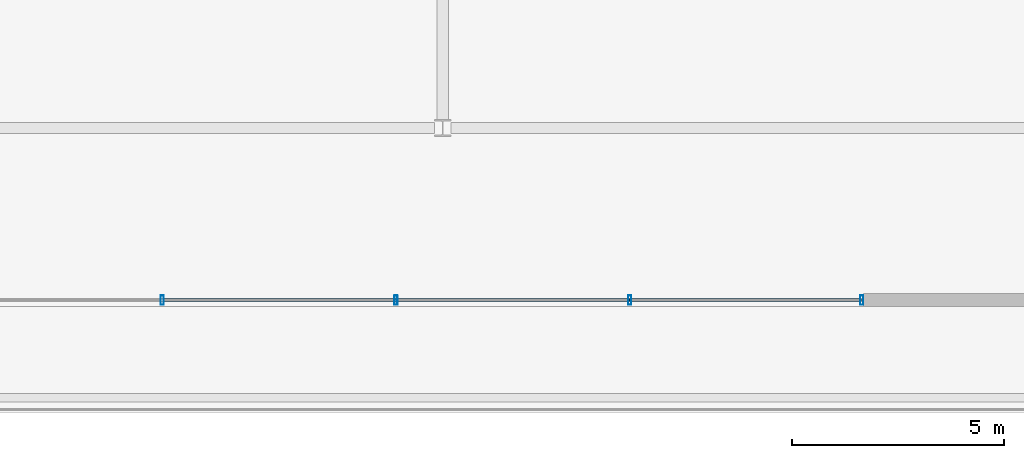
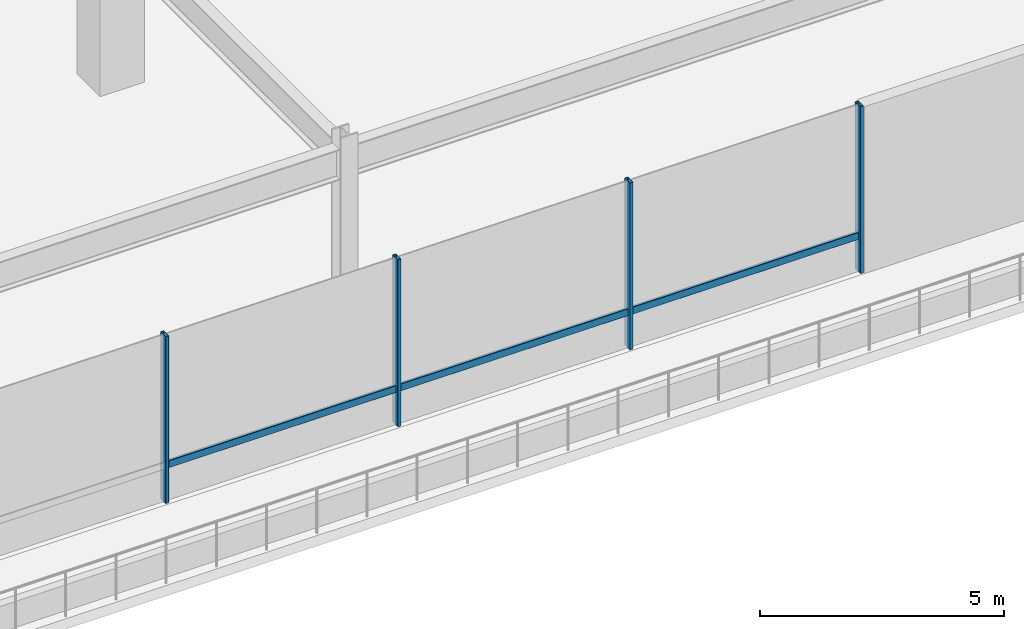
# One storey, part 10 of 40: 7 members, 1 element without a shape of its own.
"""IFC4 building model written with IfcOpenShell, lengths in metres."""

from ifc_helpers import new_model, si_unit, direction, frame, origin, origin_2d, place, context, subcontext, project, spatial, hollow_rectangle, extrude, material, layer, layer_set, material_profile, profile_set, type_object, element, aggregate, save


model = new_model("IFC4")

# Units and contexts
model_context = context("Model", 3, precision=1e-05, world=origin(), true_north=direction((0.0, 1.0)))
body_context = subcontext(model_context, "Body", "Model", "MODEL_VIEW")
ifc_project = project(units=[si_unit("LENGTHUNIT", "METRE"), si_unit("AREAUNIT", "SQUARE_METRE"), si_unit("VOLUMEUNIT", "CUBIC_METRE"), si_unit("PLANEANGLEUNIT", "RADIAN"), si_unit("MASSUNIT", "GRAM", prefix="KILO")], contexts=[model_context])

# Site, building, storey
site_placement = place(None, origin())
site = spatial("IfcSite", under=ifc_project, at=site_placement, CompositionType="ELEMENT")
building_placement = place(site_placement, origin())
building = spatial("IfcBuilding", under=site, at=building_placement, Name="Korimba Cascade Residences", CompositionType="ELEMENT")
storey_placement = place(building_placement, frame((0.0, 0.0, 14.5)))
storey = spatial("IfcBuildingStorey", under=building, at=storey_placement, Name="L03", CompositionType="ELEMENT", Elevation=14.5)

# Curtain wall, members
ifc_material_1 = material(Name="Anodised Aluminium Curtain Wall Framing", Category="aluminium")
ifc_layer = layer(ifc_material_1, 0.179931640625)
ifc_layer_set = layer_set([ifc_layer], Name="Anodised Aluminium Curtain Wall Framing")
curtain_wall_type = type_object("IfcCurtainWallType", Name="CW-POD-SYS1", PredefinedType="NOTDEFINED", material=ifc_layer_set)
curtain_wall_placement = place(storey_placement, origin())
curtain_wall = element("IfcCurtainWall", 1, at=curtain_wall_placement, inside=storey, type_object=curtain_wall_type, Name="L03 Curtain Wall CW-L03-POD-S", PredefinedType="NOTDEFINED")
ifc_material_2 = material(Name="Anodised Aluminium Mullion", Category="aluminium")
ifc_material_profile_1 = material_profile(ifc_material_2, hollow_rectangle(XDim=0.080078125, YDim=0.219970703125, WallThickness=0.00634765625, InnerFilletRadius=0.00634765625, OuterFilletRadius=0.0126953125, at=origin_2d()), Name="Anodised Aluminium Mullion")
ifc_profile_set_1 = profile_set([ifc_material_profile_1], Name="Anodised Aluminium Mullion")
member_type_1 = type_object("IfcMemberType", Name="CWM-MUL-220", PredefinedType="MULLION", material=ifc_profile_set_1)
member_1_placement = place(storey_placement, frame((93.5, -17.85009765625, 0.0), z_axis=(0.0, 0.0, 1.0), x_axis=(1.0, 0.0, 0.0)))
member_1 = element("IfcMember", 2, at=member_1_placement, type_object=member_type_1, Name="CW-L03-POD-S Mullion 2", PredefinedType="MULLION", context=body_context, shape_type="SweptSolid", body=[
    extrude(hollow_rectangle(XDim=0.080078125, YDim=0.219970703125, WallThickness=0.00634765625, InnerFilletRadius=0.00634765625, OuterFilletRadius=0.0126953125, at=origin_2d()), origin(), (0.0, 0.0, 1.0), 4.179931640625),
])
member_2_placement = place(storey_placement, frame((99.0, -17.85009765625, 0.0), z_axis=(0.0, 0.0, 1.0), x_axis=(1.0, 0.0, 0.0)))
member_2 = element("IfcMember", 3, at=member_2_placement, type_object=member_type_1, Name="CW-L03-POD-S Mullion 3", PredefinedType="MULLION", context=body_context, shape_type="SweptSolid", body=[
    extrude(hollow_rectangle(XDim=0.080078125, YDim=0.219970703125, WallThickness=0.00634765625, InnerFilletRadius=0.00634765625, OuterFilletRadius=0.0126953125, at=origin_2d()), origin(), (0.0, 0.0, 1.0), 4.179931640625),
])
member_3_placement = place(storey_placement, frame((104.5, -17.85009765625, 0.0), z_axis=(0.0, 0.0, 1.0), x_axis=(1.0, 0.0, 0.0)))
member_3 = element("IfcMember", 4, at=member_3_placement, type_object=member_type_1, Name="CW-L03-POD-S Mullion 4", PredefinedType="MULLION", context=body_context, shape_type="SweptSolid", body=[
    extrude(hollow_rectangle(XDim=0.080078125, YDim=0.219970703125, WallThickness=0.00634765625, InnerFilletRadius=0.00634765625, OuterFilletRadius=0.0126953125, at=origin_2d()), origin(), (0.0, 0.0, 1.0), 4.179931640625),
])
member_4_placement = place(storey_placement, frame((109.9599609375, -17.85009765625, 0.0), z_axis=(0.0, 0.0, 1.0), x_axis=(1.0, 0.0, 0.0)))
member_4 = element("IfcMember", 5, at=member_4_placement, type_object=member_type_1, Name="CW-L03-POD-S Mullion 5", PredefinedType="MULLION", context=body_context, shape_type="SweptSolid", body=[
    extrude(hollow_rectangle(XDim=0.080078125, YDim=0.219970703125, WallThickness=0.00634765625, InnerFilletRadius=0.00634765625, OuterFilletRadius=0.0126953125, at=origin_2d()), origin(), (0.0, 0.0, 1.0), 4.179931640625),
])
ifc_material_3 = material(Name="Anodised Aluminium Transom", Category="aluminium")
ifc_material_profile_2 = material_profile(ifc_material_3, hollow_rectangle(XDim=0.070068359375, YDim=0.179931640625, WallThickness=0.0048828125, InnerFilletRadius=0.0048828125, OuterFilletRadius=0.010009765625, at=origin_2d()), Name="Anodised Aluminium Transom")
ifc_profile_set_2 = profile_set([ifc_material_profile_2], Name="Anodised Aluminium Transom")
member_type_2 = type_object("IfcMemberType", Name="CWM-TRN-150", PredefinedType="USERDEFINED", material=ifc_profile_set_2)
member_5_placement = place(storey_placement, frame((93.5, -17.85009765625, 0.89990234375), z_axis=(1.0, 0.0, 0.0), x_axis=(0.0, 1.0, 0.0)))
member_5 = element("IfcMember", 6, at=member_5_placement, type_object=member_type_2, Name="CW-L03-POD-S Transom 2", ObjectType="TRANSOM", PredefinedType="USERDEFINED", context=body_context, shape_type="SweptSolid", body=[
    extrude(hollow_rectangle(XDim=0.070068359375, YDim=0.179931640625, WallThickness=0.0048828125, InnerFilletRadius=0.0048828125, OuterFilletRadius=0.010009765625, at=origin_2d()), origin(), (0.0, 0.0, 1.0), 5.5),
])
member_6_placement = place(storey_placement, frame((99.0, -17.85009765625, 0.89990234375), z_axis=(1.0, 0.0, 0.0), x_axis=(0.0, 1.0, 0.0)))
member_6 = element("IfcMember", 7, at=member_6_placement, type_object=member_type_2, Name="CW-L03-POD-S Transom 3", ObjectType="TRANSOM", PredefinedType="USERDEFINED", context=body_context, shape_type="SweptSolid", body=[
    extrude(hollow_rectangle(XDim=0.070068359375, YDim=0.179931640625, WallThickness=0.0048828125, InnerFilletRadius=0.0048828125, OuterFilletRadius=0.010009765625, at=origin_2d()), origin(), (0.0, 0.0, 1.0), 5.5),
])
member_7_placement = place(storey_placement, frame((104.5, -17.85009765625, 0.89990234375), z_axis=(1.0, 0.0, 0.0), x_axis=(0.0, 1.0, 0.0)))
member_7 = element("IfcMember", 8, at=member_7_placement, type_object=member_type_2, Name="CW-L03-POD-S Transom 4", ObjectType="TRANSOM", PredefinedType="USERDEFINED", context=body_context, shape_type="SweptSolid", body=[
    extrude(hollow_rectangle(XDim=0.070068359375, YDim=0.179931640625, WallThickness=0.0048828125, InnerFilletRadius=0.0048828125, OuterFilletRadius=0.010009765625, at=origin_2d()), origin(), (0.0, 0.0, 1.0), 5.4599609375),
])
aggregate(curtain_wall, [member_1, member_2, member_3, member_4, member_5, member_6, member_7])

save(model, "model.ifc")
